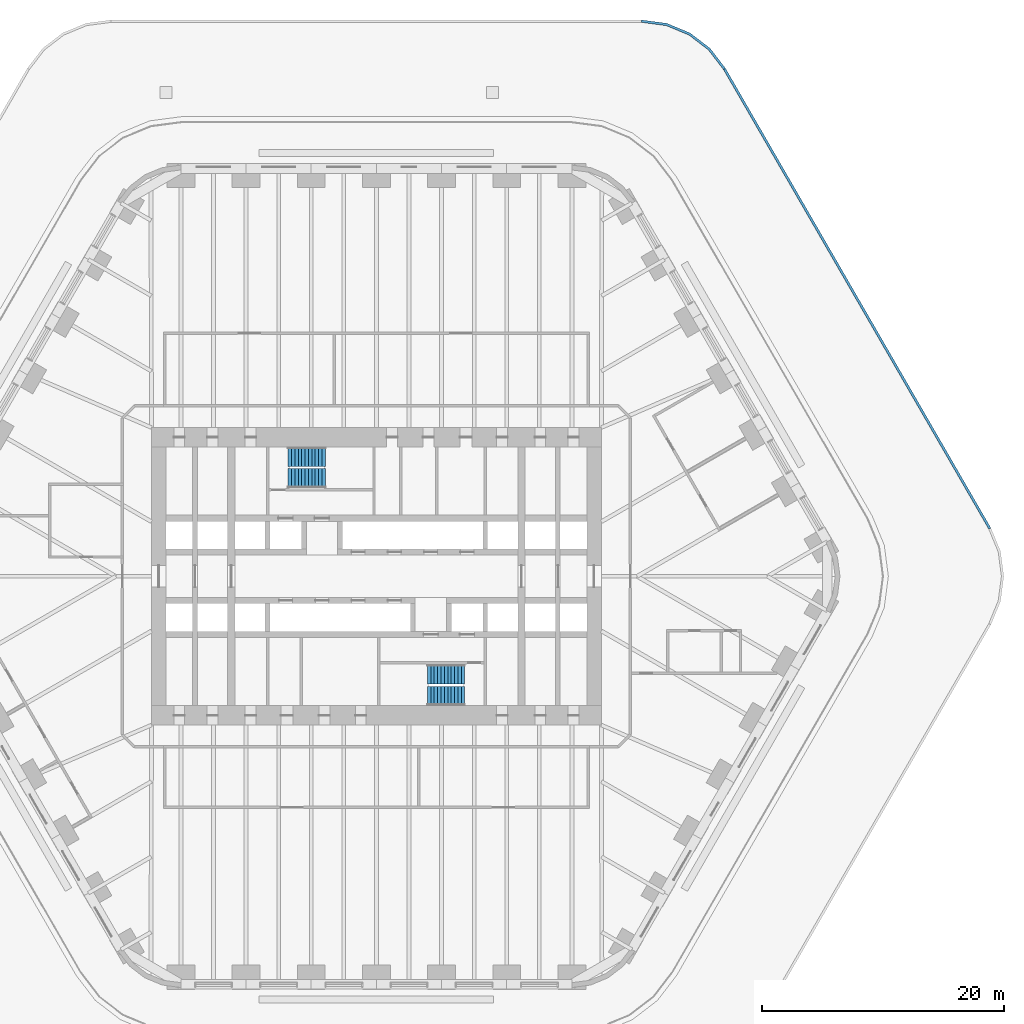
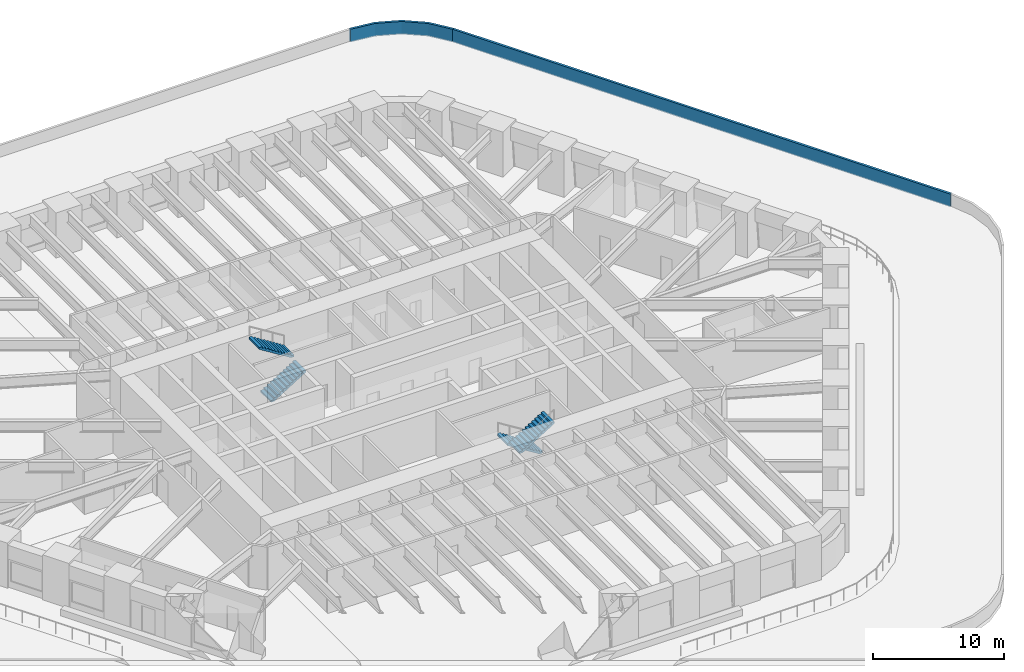
# One storey, part 14 of 17: 4 stair flights, 2 walls, 2 elements without a shape of their own.
"""IFC4 building model written with IfcOpenShell, lengths in metres."""

from ifc_helpers import new_model, si_unit, direction, frame, frame_2d, origin, place, context, subcontext, project, spatial, polyline, rectangle, outline, extrude, material, layer, layer_set, type_object, element, aggregate, save


model = new_model("IFC4")

# Units and contexts
model_context = context("Model", 3, precision=1e-05, world=origin(), true_north=direction((0.0, 1.0)))
body_context = subcontext(model_context, "Body", "Model", "MODEL_VIEW")
ifc_project = project(units=[si_unit("LENGTHUNIT", "METRE"), si_unit("AREAUNIT", "SQUARE_METRE"), si_unit("VOLUMEUNIT", "CUBIC_METRE"), si_unit("PLANEANGLEUNIT", "RADIAN"), si_unit("MASSUNIT", "GRAM", prefix="KILO")], contexts=[model_context])

# Site, building, storey
site_placement = place(None, origin())
site = spatial("IfcSite", under=ifc_project, at=site_placement, CompositionType="ELEMENT")
building_placement = place(site_placement, origin())
building = spatial("IfcBuilding", under=site, at=building_placement, Name="Tarfa Lantern Tower", CompositionType="ELEMENT")
storey_placement = place(building_placement, frame((0.0, 0.0, 23.5)))
storey = spatial("IfcBuildingStorey", under=building, at=storey_placement, Name="L04", CompositionType="ELEMENT", Elevation=23.5)

# Walls
ifc_material_1 = material(Name="Limestone cladding on blockwork", Category="masonry")
ifc_layer = layer(ifc_material_1, 0.199951171875)
ifc_layer_set = layer_set([ifc_layer], Name="PP1 STONE PARAPET 200")
wall_type = type_object("IfcWallType", Name="PP1 STONE PARAPET 200", PredefinedType="PARAPET", material=ifc_layer_set)
wall_1_placement = place(storey_placement, frame((50.72021484375, 3.949951171875, 0.0), z_axis=(0.0, 0.0, 1.0), x_axis=(-0.499998269459, 0.86602640291, 0.0)))
element("IfcWall", 1, at=wall_1_placement, inside=storey, type_object=wall_type, Name="Green roof parapet NE", PredefinedType="PARAPET", context=body_context, shape_type="SweptSolid", body=[
    extrude(rectangle(XDim=43.878662109375, YDim=0.199951171875, at=frame_2d((21.939453125, 0.0))), origin(), (0.0, 0.0, 1.0), 1.199951171875),
])
wall_2_placement = place(storey_placement, origin())
element("IfcWall", 2, at=wall_2_placement, inside=storey, type_object=wall_type, Name="Green roof parapet corner NE-N", PredefinedType="PARAPET", context=body_context, shape_type="SweptSolid", body=[
    extrude(outline(polyline([(28.867431640625, 42.0), (27.59619140625, 43.65673828125), (25.939208984375, 44.92822265625), (24.009765625, 45.727294921875), (21.939208984375, 46.0), (21.939208984375, 45.800048828125), (23.9580078125, 45.5341796875), (25.83935546875, 44.7548828125), (27.454833984375, 43.515380859375), (28.6943359375, 41.89990234375), (28.867431640625, 42.0)])), origin(), (0.0, 0.0, 1.0), 1.199951171875),
])

# Stair, stair flights
ifc_material_2 = material(Name="Concrete C40/50", Category="concrete")
stair_type = type_object("IfcStairType", Name="ST-T10 HALF-TURN STAIR 4200 RISE", PredefinedType="HALF_TURN_STAIR", material=ifc_material_2)
stair_1_placement = place(storey_placement, origin())
stair_1 = element("IfcStair", 3, at=stair_1_placement, inside=storey, type_object=stair_type, Name="Stair ST1", PredefinedType="HALF_TURN_STAIR")
stair_flight_type = type_object("IfcStairFlightType", Name="SF1 STAIR FLIGHT", PredefinedType="STRAIGHT", material=ifc_material_2)
stair_flight_1_placement = place(storey_placement, frame((-7.300048828125, 8.10009765625, 0.0), z_axis=(0.0, 0.0, 1.0), x_axis=(1.0, 0.0, 0.0)))
stair_flight_1 = element("IfcStairFlight", 4, at=stair_flight_1_placement, type_object=stair_flight_type, Name="ST1 flight 1", NumberOfRisers=12, NumberOfTreads=11, PredefinedType="STRAIGHT", RiserHeight=0.175, TreadLength=0.28, context=body_context, shape_type="SweptSolid", body=[
    extrude(outline(polyline([(0.0, 0.0), (0.0, 0.175048828125), (0.280029296875, 0.175048828125), (0.280029296875, 0.35009765625), (0.56005859375, 0.35009765625), (0.56005859375, 0.52490234375), (0.840087890625, 0.52490234375), (0.840087890625, 0.699951171875), (1.1201171875, 0.699951171875), (1.1201171875, 0.875), (1.39990234375, 0.875), (1.39990234375, 1.050048828125), (1.679931640625, 1.050048828125), (1.679931640625, 1.22509765625), (1.9599609375, 1.22509765625), (1.9599609375, 1.39990234375), (2.239990234375, 1.39990234375), (2.239990234375, 1.574951171875), (2.52001953125, 1.574951171875), (2.52001953125, 1.75), (2.800048828125, 1.75), (2.800048828125, 1.925048828125), (3.080078125, 1.925048828125), (3.080078125, 2.10009765625), (3.080078125, 1.748291015625), (0.28271484375, 0.0), (0.0, 0.0)])), frame((0.0, 0.800048828125, 0.0), z_axis=(0.0, -1.0, 0.0), x_axis=(1.0, 0.0, 0.0)), (0.0, 0.0, 1.0), 1.60009765625),
])
stair_flight_2_placement = place(storey_placement, frame((-4.219970703125, 9.89990234375, 2.10009765625), z_axis=(0.0, 0.0, 1.0), x_axis=(-1.0, 0.0, 0.0)))
stair_flight_2 = element("IfcStairFlight", 5, at=stair_flight_2_placement, type_object=stair_flight_type, Name="ST1 flight 2", NumberOfRisers=12, NumberOfTreads=11, PredefinedType="STRAIGHT", RiserHeight=0.175, TreadLength=0.28, context=body_context, shape_type="SweptSolid", body=[
    extrude(outline(polyline([(0.0, 0.0), (0.0, 0.175048828125), (0.280029296875, 0.175048828125), (0.280029296875, 0.35009765625), (0.56005859375, 0.35009765625), (0.56005859375, 0.52490234375), (0.840087890625, 0.52490234375), (0.840087890625, 0.699951171875), (1.1201171875, 0.699951171875), (1.1201171875, 0.875), (1.39990234375, 0.875), (1.39990234375, 1.050048828125), (1.679931640625, 1.050048828125), (1.679931640625, 1.22509765625), (1.9599609375, 1.22509765625), (1.9599609375, 1.39990234375), (2.239990234375, 1.39990234375), (2.239990234375, 1.574951171875), (2.52001953125, 1.574951171875), (2.52001953125, 1.75), (2.800048828125, 1.75), (2.800048828125, 1.925048828125), (3.080078125, 1.925048828125), (3.080078125, 2.10009765625), (3.080078125, 1.748291015625), (0.28271484375, 0.0), (0.0, 0.0)])), frame((0.0, 0.800048828125, 0.0), z_axis=(0.0, -1.0, 0.0), x_axis=(1.0, 0.0, 0.0)), (0.0, 0.0, 1.0), 1.60009765625),
])
aggregate(stair_1, [stair_flight_1, stair_flight_2])

stair_2_placement = place(storey_placement, origin())
stair_2 = element("IfcStair", 6, at=stair_2_placement, inside=storey, type_object=stair_type, Name="Stair ST2", PredefinedType="HALF_TURN_STAIR")
stair_flight_3_placement = place(storey_placement, frame((7.300048828125, -8.10009765625, 0.0), z_axis=(0.0, 0.0, 1.0), x_axis=(-1.0, 0.0, 0.0)))
stair_flight_3 = element("IfcStairFlight", 7, at=stair_flight_3_placement, type_object=stair_flight_type, Name="ST2 flight 1", NumberOfRisers=12, NumberOfTreads=11, PredefinedType="STRAIGHT", RiserHeight=0.175, TreadLength=0.28, context=body_context, shape_type="SweptSolid", body=[
    extrude(outline(polyline([(0.0, 0.0), (0.0, 0.175048828125), (0.280029296875, 0.175048828125), (0.280029296875, 0.35009765625), (0.56005859375, 0.35009765625), (0.56005859375, 0.52490234375), (0.840087890625, 0.52490234375), (0.840087890625, 0.699951171875), (1.1201171875, 0.699951171875), (1.1201171875, 0.875), (1.39990234375, 0.875), (1.39990234375, 1.050048828125), (1.679931640625, 1.050048828125), (1.679931640625, 1.22509765625), (1.9599609375, 1.22509765625), (1.9599609375, 1.39990234375), (2.239990234375, 1.39990234375), (2.239990234375, 1.574951171875), (2.52001953125, 1.574951171875), (2.52001953125, 1.75), (2.800048828125, 1.75), (2.800048828125, 1.925048828125), (3.080078125, 1.925048828125), (3.080078125, 2.10009765625), (3.080078125, 1.748291015625), (0.28271484375, 0.0), (0.0, 0.0)])), frame((0.0, 0.800048828125, 0.0), z_axis=(0.0, -1.0, 0.0), x_axis=(1.0, 0.0, 0.0)), (0.0, 0.0, 1.0), 1.60009765625),
])
stair_flight_4_placement = place(storey_placement, frame((4.219970703125, -9.89990234375, 2.10009765625), z_axis=(0.0, 0.0, 1.0), x_axis=(1.0, 0.0, 0.0)))
stair_flight_4 = element("IfcStairFlight", 8, at=stair_flight_4_placement, type_object=stair_flight_type, Name="ST2 flight 2", NumberOfRisers=12, NumberOfTreads=11, PredefinedType="STRAIGHT", RiserHeight=0.175, TreadLength=0.28, context=body_context, shape_type="SweptSolid", body=[
    extrude(outline(polyline([(0.0, 0.0), (0.0, 0.175048828125), (0.280029296875, 0.175048828125), (0.280029296875, 0.35009765625), (0.56005859375, 0.35009765625), (0.56005859375, 0.52490234375), (0.840087890625, 0.52490234375), (0.840087890625, 0.699951171875), (1.1201171875, 0.699951171875), (1.1201171875, 0.875), (1.39990234375, 0.875), (1.39990234375, 1.050048828125), (1.679931640625, 1.050048828125), (1.679931640625, 1.22509765625), (1.9599609375, 1.22509765625), (1.9599609375, 1.39990234375), (2.239990234375, 1.39990234375), (2.239990234375, 1.574951171875), (2.52001953125, 1.574951171875), (2.52001953125, 1.75), (2.800048828125, 1.75), (2.800048828125, 1.925048828125), (3.080078125, 1.925048828125), (3.080078125, 2.10009765625), (3.080078125, 1.748291015625), (0.28271484375, 0.0), (0.0, 0.0)])), frame((0.0, 0.800048828125, 0.0), z_axis=(0.0, -1.0, 0.0), x_axis=(1.0, 0.0, 0.0)), (0.0, 0.0, 1.0), 1.60009765625),
])
aggregate(stair_2, [stair_flight_3, stair_flight_4])

save(model, "model.ifc")
